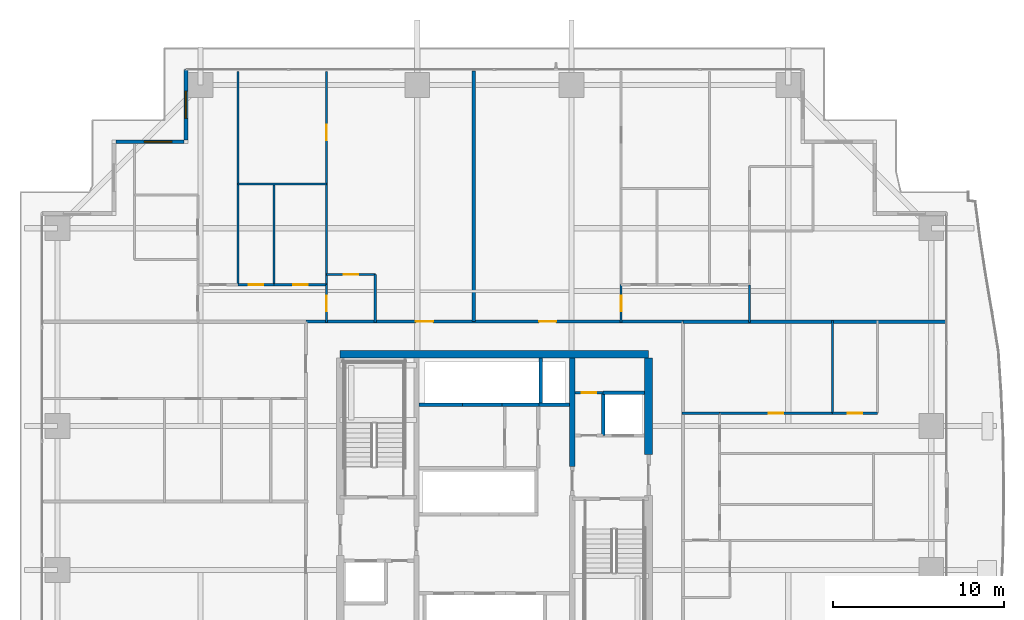
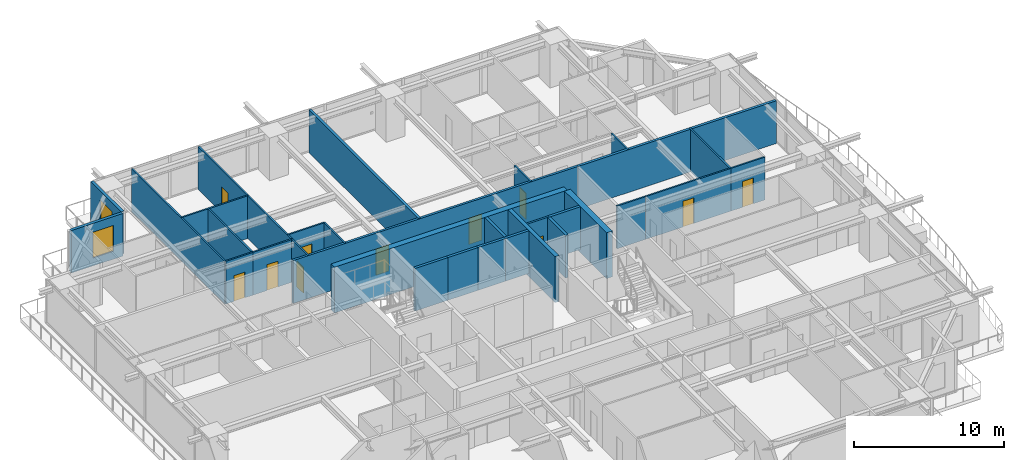
# One storey, part 31 of 39: 32 walls, 11 doors, 2 windows, 13 openings.
"""IFC4 building model written with IfcOpenShell, lengths in metres."""

from ifc_helpers import new_model, si_unit, direction, frame, frame_2d, origin, place, context, subcontext, project, spatial, rectangle, extrude, source, transform, mapped, material, layer, layer_set, type_object, element, fill, save


model = new_model("IFC4")

# Units and contexts
model_context = context("Model", 3, precision=1e-05, world=origin(), true_north=direction((0.0, 1.0)))
body_context = subcontext(model_context, "Body", "Model", "MODEL_VIEW")
ifc_project = project(units=[si_unit("LENGTHUNIT", "METRE"), si_unit("AREAUNIT", "SQUARE_METRE"), si_unit("VOLUMEUNIT", "CUBIC_METRE"), si_unit("PLANEANGLEUNIT", "RADIAN"), si_unit("MASSUNIT", "GRAM", prefix="KILO")], contexts=[model_context])

# Site, building, storey
site_placement = place(None, origin())
site = spatial("IfcSite", under=ifc_project, at=site_placement, CompositionType="ELEMENT")
building_placement = place(site_placement, origin())
building = spatial("IfcBuilding", under=site, at=building_placement, Name="Serunith Strait Residences", CompositionType="ELEMENT")
storey_placement = place(building_placement, frame((0.0, 0.0, 64.199951171875)))
storey = spatial("IfcBuildingStorey", under=building, at=storey_placement, Name="L15", CompositionType="ELEMENT", Elevation=64.199951171875)

# Wall, opening, window
ifc_material_1 = material(Name="Pale-Champagne Aluminium Insulated Panel", Category="aluminium")
ifc_layer_1 = layer(ifc_material_1, 0.219970703125, Name="Pale-Champagne Aluminium Insulated Panel")
ifc_layer_set_1 = layer_set([ifc_layer_1], Name="Pale-Champagne Aluminium Insulated Panel")
wall_type_1 = type_object("IfcWallType", Name="EW-ALUM-220", PredefinedType="ELEMENTEDWALL", material=ifc_layer_set_1)
wall_1_placement = place(storey_placement, frame((14.39990234375, 50.199951171875, 0.0), z_axis=(0.0, 0.0, 1.0), x_axis=(0.0, -1.0, 0.0)))
wall_1 = element("IfcWall", 1, at=wall_1_placement, inside=storey, type_object=wall_type_1, Name="L15 Girih Serrated Corner Wall 12", PredefinedType="ELEMENTEDWALL", context=body_context, shape_type="SweptSolid", body=[
    extrude(rectangle(XDim=4.08984375, YDim=0.219970703125, at=frame_2d((2.044921875, 0.0))), origin(), (0.0, 0.0, 1.0), 3.47509765625),
])
opening_1_placement = place(wall_1_placement, frame((1.2451171875, 0.0, 0.64990234375)))
opening_1 = element("IfcOpeningElement", 2, at=opening_1_placement, cuts=wall_1, Name="Opening W-02", PredefinedType="OPENING", context=body_context, shape_type="SweptSolid", body=[
    extrude(rectangle(XDim=1.60009765625, YDim=2.10009765625, at=frame_2d((0.800048828125, 1.050048828125))), frame((0.0, 0.1201171875, 0.0), z_axis=(0.0, -1.0, 0.0), x_axis=(1.0, 0.0, 0.0)), (0.0, 0.0, 1.0), 0.239990234375),
])
ifc_material_2 = material(Name="Ceramic-Fritted Operable Aluminium Window Glass", Category="aluminium")
window_type = type_object("IfcWindowType", Name="WIN-C2", PartitioningType="DOUBLE_PANEL_VERTICAL", PredefinedType="WINDOW", material=ifc_material_2)
shared_shape_1 = source(origin(), body_context, "Body", "SweptSolid", [
    extrude(rectangle(XDim=1.60009765625, YDim=2.10009765625, at=frame_2d((0.800048828125, 1.050048828125))), frame((0.0, 0.030029296875, 0.0), z_axis=(0.0, -1.0, 0.0), x_axis=(1.0, 0.0, 0.0)), (0.0, 0.0, 1.0), 0.06005859375),
])
window_1_placement = place(opening_1_placement, origin())
window_1 = element("IfcWindow", 3, at=window_1_placement, inside=storey, type_object=window_type, Name="L15 Corner Operable Fritted Window 12", OverallHeight=2.10009765625, OverallWidth=1.60009765625, PartitioningType="SINGLE_PANEL", PredefinedType="WINDOW", context=body_context, shape_type="MappedRepresentation", body=[
    mapped(shared_shape_1, transform((0.0, 0.0, 0.0), scale=1.0)),
])
fill(opening_1, window_1)

wall_2_placement = place(storey_placement, frame((14.2900390625, 46.0, 0.0), z_axis=(0.0, 0.0, 1.0), x_axis=(-1.0, 0.0, 0.0)))
wall_2 = element("IfcWall", 4, at=wall_2_placement, inside=storey, type_object=wall_type_1, Name="L15 Girih Serrated Corner Wall 13", PredefinedType="ELEMENTEDWALL", context=body_context, shape_type="SweptSolid", body=[
    extrude(rectangle(XDim=3.97998046875, YDim=0.219970703125, at=frame_2d((1.989990234375, 0.0))), origin(), (0.0, 0.0, 1.0), 3.47509765625),
])
opening_2_placement = place(wall_2_placement, frame((0.714111328125, 0.0, 0.64990234375)))
opening_2 = element("IfcOpeningElement", 5, at=opening_2_placement, cuts=wall_2, Name="Opening W-02", PredefinedType="OPENING", context=body_context, shape_type="SweptSolid", body=[
    extrude(rectangle(XDim=1.60009765625, YDim=2.10009765625, at=frame_2d((0.800048828125, 1.050048828125))), frame((0.0, 0.1201171875, 0.0), z_axis=(0.0, -1.0, 0.0), x_axis=(1.0, 0.0, 0.0)), (0.0, 0.0, 1.0), 0.239990234375),
])
window_2_placement = place(opening_2_placement, origin())
window_2 = element("IfcWindow", 6, at=window_2_placement, inside=storey, type_object=window_type, Name="L15 Corner Operable Fritted Window 13", OverallHeight=2.10009765625, OverallWidth=1.60009765625, PartitioningType="SINGLE_PANEL", PredefinedType="WINDOW", context=body_context, shape_type="MappedRepresentation", body=[
    mapped(shared_shape_1, transform((0.0, 0.0, 0.0), scale=1.0)),
])
fill(opening_2, window_2)

# Wall, opening, door
ifc_material_3 = material(Name="Fire-rated masonry service closet wall", Category="masonry")
ifc_layer_2 = layer(ifc_material_3, 0.14990234375, Name="Fire-rated masonry service closet wall")
ifc_layer_set_2 = layer_set([ifc_layer_2], Name="Fire-rated masonry service closet wall")
wall_type_2 = type_object("IfcWallType", Name="IW-BOH-150", PredefinedType="PARTITIONING", material=ifc_layer_set_2)
wall_3_placement = place(storey_placement, frame((37.10009765625, 31.35009765625, 0.0), z_axis=(0.0, 0.0, 1.0), x_axis=(1.0, 0.0, 0.0)))
wall_3 = element("IfcWall", 7, at=wall_3_placement, inside=storey, type_object=wall_type_2, Name="L15 Partition Wall 012", PredefinedType="PARTITIONING", context=body_context, shape_type="SweptSolid", body=[
    extrude(rectangle(XDim=1.64794921875, YDim=0.14990234375, at=frame_2d((0.823974609375, 0.0))), origin(), (0.0, 0.0, 1.0), 3.489990234375),
])
opening_3_placement = place(wall_3_placement, frame((0.39892578125, 0.0, 0.0)))
opening_3 = element("IfcOpeningElement", 8, at=opening_3_placement, cuts=wall_3, Name="Opening FD-850", PredefinedType="OPENING", context=body_context, shape_type="SweptSolid", body=[
    extrude(rectangle(XDim=0.85009765625, YDim=2.10009765625, at=frame_2d((0.425048828125, 1.050048828125))), frame((0.0, 0.0849609375, 0.0), z_axis=(0.0, -1.0, 0.0), x_axis=(1.0, 0.0, 0.0)), (0.0, 0.0, 1.0), 0.169921875),
])
ifc_material_4 = material(Name="Powder-coated steel service closet door", Category="steel")
door_type_1 = type_object("IfcDoorType", Name="FD-BOH-850", OperationType="NOTDEFINED", PredefinedType="DOOR", material=ifc_material_4)
shared_shape_2 = source(origin(), body_context, "Body", "SweptSolid", [
    extrude(rectangle(XDim=0.85009765625, YDim=2.10009765625, at=frame_2d((0.425048828125, 1.050048828125))), frame((0.0, 0.02490234375, 0.0), z_axis=(0.0, -1.0, 0.0), x_axis=(1.0, 0.0, 0.0)), (0.0, 0.0, 1.0), 0.050048828125),
])
door_1_placement = place(opening_3_placement, origin())
door_1 = element("IfcDoor", 9, at=door_1_placement, inside=storey, type_object=door_type_1, Name="L15 Spare Parts Store Door", OperationType="SINGLE_SWING_RIGHT", OverallHeight=2.10009765625, OverallWidth=0.85009765625, PredefinedType="DOOR", context=body_context, shape_type="MappedRepresentation", body=[
    mapped(shared_shape_2, transform((0.0, 0.0, 0.0), scale=1.0)),
])
fill(opening_3, door_1)

# Wall, openings, doors
ifc_material_5 = material(Name="Fire-rated acoustic gypsum partition")
ifc_layer_3 = layer(ifc_material_5, 0.179931640625, Name="Fire-rated acoustic gypsum partition")
ifc_layer_set_3 = layer_set([ifc_layer_3], Name="Fire-rated acoustic gypsum partition")
wall_type_3 = type_object("IfcWallType", Name="IW-CORR-180", PredefinedType="PARTITIONING", material=ifc_layer_set_3)
wall_4_placement = place(storey_placement, frame((21.402099609375, 35.5, 0.0), z_axis=(0.0, 0.0, 1.0), x_axis=(1.0, 0.0, 0.0)))
wall_4 = element("IfcWall", 10, at=wall_4_placement, inside=storey, type_object=wall_type_3, Name="L15 Partition Wall 024", PredefinedType="PARTITIONING", context=body_context, shape_type="SweptSolid", body=[
    extrude(rectangle(XDim=21.995849609375, YDim=0.179931640625, at=frame_2d((10.998046875, 0.0))), origin(), (0.0, 0.0, 1.0), 3.489990234375),
])
opening_4_placement = place(wall_4_placement, frame((6.425048828125, 0.0, 0.0)))
opening_4 = element("IfcOpeningElement", 11, at=opening_4_placement, cuts=wall_4, Name="Opening D-APT1000", PredefinedType="OPENING", context=body_context, shape_type="SweptSolid", body=[
    extrude(rectangle(XDim=1.0, YDim=2.14990234375, at=frame_2d((0.5, 1.074951171875))), frame((0.0, 0.10009765625, 0.0), z_axis=(0.0, -1.0, 0.0), x_axis=(1.0, 0.0, 0.0)), (0.0, 0.0, 1.0), 0.199951171875),
])
opening_5_placement = place(wall_4_placement, frame((13.60498046875, 0.0, 0.0)))
opening_5 = element("IfcOpeningElement", 12, at=opening_5_placement, cuts=wall_4, Name="Opening D-APT1000", PredefinedType="OPENING", context=body_context, shape_type="SweptSolid", body=[
    extrude(rectangle(XDim=1.0, YDim=2.14990234375, at=frame_2d((0.5, 1.074951171875))), frame((0.0, 0.10009765625, 0.0), z_axis=(0.0, -1.0, 0.0), x_axis=(1.0, 0.0, 0.0)), (0.0, 0.0, 1.0), 0.199951171875),
])
ifc_material_6 = material(Name="Solid timber engineered fire door", Category="wood")
door_type_2 = type_object("IfcDoorType", Name="ID-APT-1000", OperationType="NOTDEFINED", PredefinedType="DOOR", material=ifc_material_6)
shared_shape_3 = source(origin(), body_context, "Body", "SweptSolid", [
    extrude(rectangle(XDim=1.0, YDim=2.14990234375, at=frame_2d((0.5, 1.074951171875))), frame((0.0, 0.02490234375, 0.0), z_axis=(0.0, -1.0, 0.0), x_axis=(1.0, 0.0, 0.0)), (0.0, 0.0, 1.0), 0.050048828125),
])
door_2_placement = place(opening_4_placement, origin())
door_2 = element("IfcDoor", 13, at=door_2_placement, inside=storey, type_object=door_type_2, Name="L15 Unit 04 Entrance Door", OperationType="SINGLE_SWING_RIGHT", OverallHeight=2.14990234375, OverallWidth=1.0, PredefinedType="DOOR", context=body_context, shape_type="MappedRepresentation", body=[
    mapped(shared_shape_3, transform((0.0, 0.0, 0.0), scale=1.0)),
])
fill(opening_4, door_2)
door_3_placement = place(opening_5_placement, origin())
door_3 = element("IfcDoor", 14, at=door_3_placement, inside=storey, type_object=door_type_2, Name="L15 Unit 05 Entrance Door", OperationType="SINGLE_SWING_LEFT", OverallHeight=2.14990234375, OverallWidth=1.0, PredefinedType="DOOR", context=body_context, shape_type="MappedRepresentation", body=[
    mapped(shared_shape_3, transform((0.0, 0.0, 0.0), scale=1.0)),
])
fill(opening_5, door_3)

# Wall, opening, door
ifc_material_7 = material(Name="Lightweight steel-stud gypsum partition", Category="steel")
ifc_layer_4 = layer(ifc_material_7, 0.1201171875, Name="Lightweight steel-stud gypsum partition")
ifc_layer_set_4 = layer_set([ifc_layer_4], Name="Lightweight steel-stud gypsum partition")
wall_type_4 = type_object("IfcWallType", Name="IW-PART-120", PredefinedType="PARTITIONING", material=ifc_layer_set_4)
wall_5_placement = place(storey_placement, frame((22.60009765625, 38.25, 0.0), z_axis=(0.0, 0.0, 1.0), x_axis=(1.0, 0.0, 0.0)))
wall_5 = element("IfcWall", 15, at=wall_5_placement, inside=storey, type_object=wall_type_4, Name="L15 Partition Wall 064", PredefinedType="PARTITIONING", context=body_context, shape_type="SweptSolid", body=[
    extrude(rectangle(XDim=2.849853515625, YDim=0.1201171875, at=frame_2d((1.4248046875, 0.0))), origin(), (0.0, 0.0, 1.0), 3.489990234375),
])
opening_6_placement = place(wall_5_placement, frame((1.0, 0.0, 0.0)))
opening_6 = element("IfcOpeningElement", 16, at=opening_6_placement, cuts=wall_5, Name="Opening D-RM850", PredefinedType="OPENING", context=body_context, shape_type="SweptSolid", body=[
    extrude(rectangle(XDim=0.85009765625, YDim=2.10009765625, at=frame_2d((0.425048828125, 1.050048828125))), frame((0.0, 0.070068359375, 0.0), z_axis=(0.0, -1.0, 0.0), x_axis=(1.0, 0.0, 0.0)), (0.0, 0.0, 1.0), 0.14013671875),
])
ifc_material_8 = material(Name="Engineered timber flush study and kitchen door", Category="wood")
door_type_3 = type_object("IfcDoorType", Name="ID-ROOM-850", OperationType="NOTDEFINED", PredefinedType="DOOR", material=ifc_material_8)
door_4_placement = place(opening_6_placement, origin())
door_4 = element("IfcDoor", 17, at=door_4_placement, inside=storey, type_object=door_type_3, Name="L15 Kitchen 1504 Door", OperationType="SINGLE_SWING_LEFT", OverallHeight=2.10009765625, OverallWidth=0.85009765625, PredefinedType="DOOR", context=body_context, shape_type="MappedRepresentation", body=[
    mapped(shared_shape_2, transform((0.0, 0.0, 0.0), scale=1.0)),
])
fill(opening_6, door_4)

# Wall
wall_6_placement = place(storey_placement, frame((25.449951171875, 38.25, 0.0), z_axis=(0.0, 0.0, 1.0), x_axis=(0.0, -1.0, 0.0)))
element("IfcWall", 18, at=wall_6_placement, inside=storey, type_object=wall_type_4, Name="L15 Partition Wall 065", PredefinedType="PARTITIONING", context=body_context, shape_type="SweptSolid", body=[
    extrude(rectangle(XDim=2.81005859375, YDim=0.1201171875, at=frame_2d((1.405029296875, 0.0))), origin(), (0.0, 0.0, 1.0), 3.489990234375),
])

# Wall, opening, door
wall_7_placement = place(storey_placement, frame((22.60009765625, 37.64990234375, 0.0), z_axis=(0.0, 0.0, 1.0), x_axis=(0.0, -1.0, 0.0)))
wall_7 = element("IfcWall", 19, at=wall_7_placement, inside=storey, type_object=wall_type_4, Name="L15 Partition Wall 066", PredefinedType="PARTITIONING", context=body_context, shape_type="SweptSolid", body=[
    extrude(rectangle(XDim=2.2099609375, YDim=0.1201171875, at=frame_2d((1.10498046875, 0.0))), origin(), (0.0, 0.0, 1.0), 3.489990234375),
])
opening_7_placement = place(wall_7_placement, frame((0.655029296875, 0.0, 0.0)))
opening_7 = element("IfcOpeningElement", 20, at=opening_7_placement, cuts=wall_7, Name="Opening D-RM900", PredefinedType="OPENING", context=body_context, shape_type="SweptSolid", body=[
    extrude(rectangle(XDim=0.89990234375, YDim=2.10009765625, at=frame_2d((0.449951171875, 1.050048828125))), frame((0.0, 0.070068359375, 0.0), z_axis=(0.0, -1.0, 0.0), x_axis=(1.0, 0.0, 0.0)), (0.0, 0.0, 1.0), 0.14013671875),
])
ifc_material_9 = material(Name="Engineered timber flush bedroom door", Category="wood")
door_type_4 = type_object("IfcDoorType", Name="ID-ROOM-900", OperationType="NOTDEFINED", PredefinedType="DOOR", material=ifc_material_9)
shared_shape_4 = source(origin(), body_context, "Body", "SweptSolid", [
    extrude(rectangle(XDim=0.89990234375, YDim=2.10009765625, at=frame_2d((0.449951171875, 1.050048828125))), frame((0.0, 0.02490234375, 0.0), z_axis=(0.0, -1.0, 0.0), x_axis=(1.0, 0.0, 0.0)), (0.0, 0.0, 1.0), 0.050048828125),
])
door_5_placement = place(opening_7_placement, origin())
door_5 = element("IfcDoor", 21, at=door_5_placement, inside=storey, type_object=door_type_4, Name="L15 Hall W 1504 Door", OperationType="SINGLE_SWING_RIGHT", OverallHeight=2.10009765625, OverallWidth=0.89990234375, PredefinedType="DOOR", context=body_context, shape_type="MappedRepresentation", body=[
    mapped(shared_shape_4, transform((0.0, 0.0, 0.0), scale=1.0)),
])
fill(opening_7, door_5)

wall_8_placement = place(storey_placement, frame((22.60009765625, 50.10498046875, 0.0), z_axis=(0.0, 0.0, 1.0), x_axis=(0.0, -1.0, 0.0)))
wall_8 = element("IfcWall", 22, at=wall_8_placement, inside=storey, type_object=wall_type_4, Name="L15 Partition Wall 067", PredefinedType="PARTITIONING", context=body_context, shape_type="SweptSolid", body=[
    extrude(rectangle(XDim=6.56494140625, YDim=0.1201171875, at=frame_2d((3.282470703125, 0.0))), origin(), (0.0, 0.0, 1.0), 3.489990234375),
])
opening_8_placement = place(wall_8_placement, frame((3.115966796875, 0.0, 0.0)))
opening_8 = element("IfcOpeningElement", 23, at=opening_8_placement, cuts=wall_8, Name="Opening D-RM900", PredefinedType="OPENING", context=body_context, shape_type="SweptSolid", body=[
    extrude(rectangle(XDim=0.89990234375, YDim=2.10009765625, at=frame_2d((0.449951171875, 1.050048828125))), frame((0.0, 0.070068359375, 0.0), z_axis=(0.0, -1.0, 0.0), x_axis=(1.0, 0.0, 0.0)), (0.0, 0.0, 1.0), 0.14013671875),
])
door_6_placement = place(opening_8_placement, origin())
door_6 = element("IfcDoor", 24, at=door_6_placement, inside=storey, type_object=door_type_4, Name="L15 Formal Dining Room 1 1504 Door", OperationType="SINGLE_SWING_LEFT", OverallHeight=2.10009765625, OverallWidth=0.89990234375, PredefinedType="DOOR", context=body_context, shape_type="MappedRepresentation", body=[
    mapped(shared_shape_4, transform((0.0, 0.0, 0.0), scale=1.0)),
])
fill(opening_8, door_6)

# Walls
wall_9_placement = place(storey_placement, frame((22.60009765625, 43.5380859375, 0.0), z_axis=(0.0, 0.0, 1.0), x_axis=(0.0, -1.0, 0.0)))
element("IfcWall", 25, at=wall_9_placement, inside=storey, type_object=wall_type_4, Name="L15 Partition Wall 068", PredefinedType="PARTITIONING", context=body_context, shape_type="SweptSolid", body=[
    extrude(rectangle(XDim=5.885986328125, YDim=0.1201171875, at=frame_2d((2.94287109375, 0.0))), origin(), (0.0, 0.0, 1.0), 3.489990234375),
])
wall_10_placement = place(storey_placement, frame((17.449951171875, 43.5400390625, 0.0), z_axis=(0.0, 0.0, 1.0), x_axis=(1.0, 0.0, 0.0)))
element("IfcWall", 26, at=wall_10_placement, inside=storey, type_object=wall_type_4, Name="L15 Partition Wall 069", PredefinedType="PARTITIONING", context=body_context, shape_type="SweptSolid", body=[
    extrude(rectangle(XDim=5.150146484375, YDim=0.1201171875, at=frame_2d((2.5751953125, 0.0))), origin(), (0.0, 0.0, 1.0), 3.489990234375),
])
wall_11_placement = place(storey_placement, frame((17.449951171875, 50.10498046875, 0.0), z_axis=(0.0, 0.0, 1.0), x_axis=(0.0, -1.0, 0.0)))
element("IfcWall", 27, at=wall_11_placement, inside=storey, type_object=wall_type_4, Name="L15 Partition Wall 070", PredefinedType="PARTITIONING", context=body_context, shape_type="SweptSolid", body=[
    extrude(rectangle(XDim=12.455078125, YDim=0.1201171875, at=frame_2d((6.2275390625, 0.0))), origin(), (0.0, 0.0, 1.0), 3.489990234375),
])
wall_12_placement = place(storey_placement, frame((19.550048828125, 43.5400390625, 0.0), z_axis=(0.0, 0.0, 1.0), x_axis=(0.0, -1.0, 0.0)))
element("IfcWall", 28, at=wall_12_placement, inside=storey, type_object=wall_type_4, Name="L15 Partition Wall 071", PredefinedType="PARTITIONING", context=body_context, shape_type="SweptSolid", body=[
    extrude(rectangle(XDim=5.89013671875, YDim=0.1201171875, at=frame_2d((2.945068359375, 0.0))), origin(), (0.0, 0.0, 1.0), 3.489990234375),
])

# Wall, opening, door
wall_13_placement = place(storey_placement, frame((17.449951171875, 37.64990234375, 0.0), z_axis=(0.0, 0.0, 1.0), x_axis=(1.0, 0.0, 0.0)))
wall_13 = element("IfcWall", 29, at=wall_13_placement, inside=storey, type_object=wall_type_4, Name="L15 Partition Wall 072", PredefinedType="PARTITIONING", context=body_context, shape_type="SweptSolid", body=[
    extrude(rectangle(XDim=2.10009765625, YDim=0.1201171875, at=frame_2d((1.050048828125, 0.0))), origin(), (0.0, 0.0, 1.0), 3.489990234375),
])
opening_9_placement = place(wall_13_placement, frame((0.625, 0.0, 0.0)))
opening_9 = element("IfcOpeningElement", 30, at=opening_9_placement, cuts=wall_13, Name="Opening D-BTH850", PredefinedType="OPENING", context=body_context, shape_type="SweptSolid", body=[
    extrude(rectangle(XDim=0.85009765625, YDim=2.10009765625, at=frame_2d((0.425048828125, 1.050048828125))), frame((0.0, 0.070068359375, 0.0), z_axis=(0.0, -1.0, 0.0), x_axis=(1.0, 0.0, 0.0)), (0.0, 0.0, 1.0), 0.14013671875),
])
ifc_material_10 = material(Name="Moisture-resistant timber bathroom door", Category="wood")
door_type_5 = type_object("IfcDoorType", Name="ID-BATH-850", OperationType="NOTDEFINED", PredefinedType="DOOR", material=ifc_material_10)
door_7_placement = place(opening_9_placement, origin())
door_7 = element("IfcDoor", 31, at=door_7_placement, inside=storey, type_object=door_type_5, Name="L15 Bathroom 1504 Door", OperationType="SINGLE_SWING_RIGHT", OverallHeight=2.10009765625, OverallWidth=0.85009765625, PredefinedType="DOOR", context=body_context, shape_type="MappedRepresentation", body=[
    mapped(shared_shape_2, transform((0.0, 0.0, 0.0), scale=1.0)),
])
fill(opening_9, door_7)

wall_14_placement = place(storey_placement, frame((19.552001953125, 37.64990234375, 0.0), z_axis=(0.0, 0.0, 1.0), x_axis=(1.0, 0.0, 0.0)))
wall_14 = element("IfcWall", 32, at=wall_14_placement, inside=storey, type_object=wall_type_4, Name="L15 Partition Wall 073", PredefinedType="PARTITIONING", context=body_context, shape_type="SweptSolid", body=[
    extrude(rectangle(XDim=3.048095703125, YDim=0.1201171875, at=frame_2d((1.52392578125, 0.0))), origin(), (0.0, 0.0, 1.0), 3.489990234375),
])
opening_10_placement = place(wall_14_placement, frame((1.09912109375, 0.0, 0.0)))
opening_10 = element("IfcOpeningElement", 33, at=opening_10_placement, cuts=wall_14, Name="Opening D-RM850", PredefinedType="OPENING", context=body_context, shape_type="SweptSolid", body=[
    extrude(rectangle(XDim=0.85009765625, YDim=2.10009765625, at=frame_2d((0.425048828125, 1.050048828125))), frame((0.0, 0.070068359375, 0.0), z_axis=(0.0, -1.0, 0.0), x_axis=(1.0, 0.0, 0.0)), (0.0, 0.0, 1.0), 0.14013671875),
])
door_8_placement = place(opening_10_placement, origin())
door_8 = element("IfcDoor", 34, at=door_8_placement, inside=storey, type_object=door_type_3, Name="L15 Formal Dining Room 1504 Door", OperationType="SINGLE_SWING_LEFT", OverallHeight=2.10009765625, OverallWidth=0.85009765625, PredefinedType="DOOR", context=body_context, shape_type="MappedRepresentation", body=[
    mapped(shared_shape_2, transform((0.0, 0.0, 0.0), scale=1.0)),
])
fill(opening_10, door_8)

wall_15_placement = place(storey_placement, frame((39.800048828125, 37.64990234375, 0.0), z_axis=(0.0, 0.0, 1.0), x_axis=(0.0, -1.0, 0.0)))
wall_15 = element("IfcWall", 35, at=wall_15_placement, inside=storey, type_object=wall_type_4, Name="L15 Partition Wall 081", PredefinedType="PARTITIONING", context=body_context, shape_type="SweptSolid", body=[
    extrude(rectangle(XDim=2.2099609375, YDim=0.1201171875, at=frame_2d((1.10498046875, 0.0))), origin(), (0.0, 0.0, 1.0), 3.489990234375),
])
opening_11_placement = place(wall_15_placement, frame((0.655029296875, 0.0, 0.0)))
opening_11 = element("IfcOpeningElement", 36, at=opening_11_placement, cuts=wall_15, Name="Opening D-RM900", PredefinedType="OPENING", context=body_context, shape_type="SweptSolid", body=[
    extrude(rectangle(XDim=0.89990234375, YDim=2.10009765625, at=frame_2d((0.449951171875, 1.050048828125))), frame((0.0, 0.070068359375, 0.0), z_axis=(0.0, -1.0, 0.0), x_axis=(1.0, 0.0, 0.0)), (0.0, 0.0, 1.0), 0.14013671875),
])
door_9_placement = place(opening_11_placement, origin())
door_9 = element("IfcDoor", 37, at=door_9_placement, inside=storey, type_object=door_type_4, Name="L15 Hall E 1505 Door", OperationType="SINGLE_SWING_LEFT", OverallHeight=2.10009765625, OverallWidth=0.89990234375, PredefinedType="DOOR", context=body_context, shape_type="MappedRepresentation", body=[
    mapped(shared_shape_4, transform((0.0, 0.0, 0.0), scale=1.0)),
])
fill(opening_11, door_9)

# Walls
wall_16_placement = place(storey_placement, frame((47.300048828125, 37.64794921875, 0.0), z_axis=(0.0, 0.0, 1.0), x_axis=(0.0, -1.0, 0.0)))
element("IfcWall", 38, at=wall_16_placement, inside=storey, type_object=wall_type_4, Name="L15 Partition Wall 095", PredefinedType="PARTITIONING", context=body_context, shape_type="SweptSolid", body=[
    extrude(rectangle(XDim=2.2080078125, YDim=0.1201171875, at=frame_2d((1.10400390625, 0.0))), origin(), (0.0, 0.0, 1.0), 3.489990234375),
])
wall_17_placement = place(storey_placement, frame((52.133056640625, 30.14990234375, 0.0), z_axis=(0.0, 0.0, 1.0), x_axis=(0.0, 1.0, 0.0)))
element("IfcWall", 39, at=wall_17_placement, inside=storey, type_object=wall_type_4, Name="L15 Partition Wall 119", PredefinedType="PARTITIONING", context=body_context, shape_type="SweptSolid", body=[
    extrude(rectangle(XDim=5.41015625, YDim=0.1201171875, at=frame_2d((2.705078125, 0.0))), origin(), (0.0, 0.0, 1.0), 3.489990234375),
])

# Wall, opening, door
wall_18_placement = place(storey_placement, frame((54.75, 30.14990234375, 0.0), z_axis=(0.0, 0.0, 1.0), x_axis=(-1.0, 0.0, 0.0)))
wall_18 = element("IfcWall", 40, at=wall_18_placement, inside=storey, type_object=wall_type_4, Name="L15 Partition Wall 120", PredefinedType="PARTITIONING", context=body_context, shape_type="SweptSolid", body=[
    extrude(rectangle(XDim=2.616943359375, YDim=0.1201171875, at=frame_2d((1.30859375, 0.0))), origin(), (0.0, 0.0, 1.0), 3.489990234375),
])
opening_12_placement = place(wall_18_placement, frame((0.883056640625, 0.0, 0.0)))
opening_12 = element("IfcOpeningElement", 41, at=opening_12_placement, cuts=wall_18, Name="Opening D-BTH850", PredefinedType="OPENING", context=body_context, shape_type="SweptSolid", body=[
    extrude(rectangle(XDim=0.85009765625, YDim=2.10009765625, at=frame_2d((0.425048828125, 1.050048828125))), frame((0.0, 0.070068359375, 0.0), z_axis=(0.0, -1.0, 0.0), x_axis=(1.0, 0.0, 0.0)), (0.0, 0.0, 1.0), 0.14013671875),
])
door_10_placement = place(opening_12_placement, origin())
door_10 = element("IfcDoor", 42, at=door_10_placement, inside=storey, type_object=door_type_5, Name="L15 En-suite Bathroom E 1508 Door", OperationType="SINGLE_SWING_RIGHT", OverallHeight=2.10009765625, OverallWidth=0.85009765625, PredefinedType="DOOR", context=body_context, shape_type="MappedRepresentation", body=[
    mapped(shared_shape_2, transform((0.0, 0.0, 0.0), scale=1.0)),
])
fill(opening_12, door_10)

wall_19_placement = place(storey_placement, frame((52.131103515625, 30.14990234375, 0.0), z_axis=(0.0, 0.0, 1.0), x_axis=(-1.0, 0.0, 0.0)))
wall_19 = element("IfcWall", 43, at=wall_19_placement, inside=storey, type_object=wall_type_4, Name="L15 Partition Wall 121", PredefinedType="PARTITIONING", context=body_context, shape_type="SweptSolid", body=[
    extrude(rectangle(XDim=6.5810546875, YDim=0.1201171875, at=frame_2d((3.29052734375, 0.0))), origin(), (0.0, 0.0, 1.0), 3.489990234375),
])
opening_13_placement = place(wall_19_placement, frame((2.865966796875, 0.0, 0.0)))
opening_13 = element("IfcOpeningElement", 44, at=opening_13_placement, cuts=wall_19, Name="Opening D-RM850", PredefinedType="OPENING", context=body_context, shape_type="SweptSolid", body=[
    extrude(rectangle(XDim=0.85009765625, YDim=2.10009765625, at=frame_2d((0.425048828125, 1.050048828125))), frame((0.0, 0.070068359375, 0.0), z_axis=(0.0, -1.0, 0.0), x_axis=(1.0, 0.0, 0.0)), (0.0, 0.0, 1.0), 0.14013671875),
])
door_11_placement = place(opening_13_placement, origin())
door_11 = element("IfcDoor", 45, at=door_11_placement, inside=storey, type_object=door_type_3, Name="L15 Wardrobe E 1508 Door", OperationType="SINGLE_SWING_LEFT", OverallHeight=2.10009765625, OverallWidth=0.85009765625, PredefinedType="DOOR", context=body_context, shape_type="MappedRepresentation", body=[
    mapped(shared_shape_2, transform((0.0, 0.0, 0.0), scale=1.0)),
])
fill(opening_13, door_11)

# Walls
wall_20_placement = place(storey_placement, frame((45.548095703125, 30.14990234375, 0.0), z_axis=(0.0, 0.0, 1.0), x_axis=(-1.0, 0.0, 0.0)))
element("IfcWall", 46, at=wall_20_placement, inside=storey, type_object=wall_type_4, Name="L15 Partition Wall 122", PredefinedType="PARTITIONING", context=body_context, shape_type="SweptSolid", body=[
    extrude(rectangle(XDim=2.2080078125, YDim=0.1201171875, at=frame_2d((1.10400390625, 0.0))), origin(), (0.0, 0.0, 1.0), 3.489990234375),
])
ifc_material_11 = material(Name="Twin-stud acoustic gypsum board partition")
ifc_layer_5 = layer(ifc_material_11, 0.199951171875, Name="Twin-stud acoustic gypsum board partition")
ifc_layer_set_5 = layer_set([ifc_layer_5], Name="Twin-stud acoustic gypsum board partition")
wall_type_5 = type_object("IfcWallType", Name="IW-PARTY-200", PredefinedType="PARTITIONING", material=ifc_layer_set_5)
wall_21_placement = place(storey_placement, frame((31.199951171875, 35.5, 0.0), z_axis=(0.0, 0.0, 1.0), x_axis=(0.0, 1.0, 0.0)))
element("IfcWall", 47, at=wall_21_placement, inside=storey, type_object=wall_type_5, Name="L15 Partition Wall 017", PredefinedType="PARTITIONING", context=body_context, shape_type="SweptSolid", body=[
    extrude(rectangle(XDim=14.617919921875, YDim=0.199951171875, at=frame_2d((7.30908203125, 0.0))), origin(), (0.0, 0.0, 1.0), 3.489990234375),
])
wall_22_placement = place(storey_placement, frame((43.39990234375, 35.5, 0.0), z_axis=(0.0, 0.0, 1.0), x_axis=(1.0, 0.0, 0.0)))
element("IfcWall", 48, at=wall_22_placement, inside=storey, type_object=wall_type_5, Name="L15 Partition Wall 022", PredefinedType="PARTITIONING", context=body_context, shape_type="SweptSolid", body=[
    extrude(rectangle(XDim=15.318115234375, YDim=0.199951171875, at=frame_2d((7.6591796875, 0.0))), origin(), (0.0, 0.0, 1.0), 3.489990234375),
])
ifc_material_12 = material(Name="Autoclaved aerated concrete blockwork", Category="masonry")
ifc_layer_6 = layer(ifc_material_12, 0.199951171875, Name="Autoclaved aerated concrete blockwork")
ifc_layer_set_6 = layer_set([ifc_layer_6], Name="Autoclaved aerated concrete blockwork")
wall_type_6 = type_object("IfcWallType", Name="IW-SHAFT-200", PredefinedType="STANDARD", material=ifc_layer_set_6)
wall_23_placement = place(storey_placement, frame((28.0, 30.64990234375, 0.0), z_axis=(0.0, 0.0, 1.0), x_axis=(1.0, 0.0, 0.0)))
element("IfcWall", 49, at=wall_23_placement, inside=storey, type_object=wall_type_6, Name="L15 PL-7 South Shaft Wall", PredefinedType="STANDARD", context=body_context, shape_type="SweptSolid", body=[
    extrude(rectangle(XDim=2.550048828125, YDim=0.199951171875, at=frame_2d((1.27490234375, 0.0))), origin(), (0.0, 0.0, 1.0), 3.489990234375),
])
wall_24_placement = place(storey_placement, frame((30.550048828125, 30.64990234375, 0.0), z_axis=(0.0, 0.0, 1.0), x_axis=(1.0, 0.0, 0.0)))
element("IfcWall", 50, at=wall_24_placement, inside=storey, type_object=wall_type_6, Name="L15 PL-8 South Shaft Wall", PredefinedType="STANDARD", context=body_context, shape_type="SweptSolid", body=[
    extrude(rectangle(XDim=2.300048828125, YDim=0.199951171875, at=frame_2d((1.14990234375, 0.0))), origin(), (0.0, 0.0, 1.0), 3.489990234375),
])
wall_25_placement = place(storey_placement, frame((32.85009765625, 30.64990234375, 0.0), z_axis=(0.0, 0.0, 1.0), x_axis=(1.0, 0.0, 0.0)))
element("IfcWall", 51, at=wall_25_placement, inside=storey, type_object=wall_type_6, Name="L15 PL-9 South Shaft Wall", PredefinedType="STANDARD", context=body_context, shape_type="SweptSolid", body=[
    extrude(rectangle(XDim=2.14990234375, YDim=0.199951171875, at=frame_2d((1.074951171875, 0.0))), origin(), (0.0, 0.0, 1.0), 3.489990234375),
])
wall_26_placement = place(storey_placement, frame((35.0, 30.64990234375, 0.0), z_axis=(0.0, 0.0, 1.0), x_axis=(1.0, 0.0, 0.0)))
element("IfcWall", 52, at=wall_26_placement, inside=storey, type_object=wall_type_6, Name="L15 SL-1 South Shaft Wall", PredefinedType="STANDARD", context=body_context, shape_type="SweptSolid", body=[
    extrude(rectangle(XDim=1.800048828125, YDim=0.199951171875, at=frame_2d((0.89990234375, 0.0))), origin(), (0.0, 0.0, 1.0), 3.489990234375),
])
wall_27_placement = place(storey_placement, frame((35.10009765625, 30.75, 0.0), z_axis=(0.0, 0.0, 1.0), x_axis=(0.0, 1.0, 0.0)))
element("IfcWall", 53, at=wall_27_placement, inside=storey, type_object=wall_type_6, Name="L15 SL-1 West Shaft Wall", PredefinedType="STANDARD", context=body_context, shape_type="SweptSolid", body=[
    extrude(rectangle(XDim=2.625, YDim=0.199951171875, at=frame_2d((1.3125, 0.0))), origin(), (0.0, 0.0, 1.0), 3.489990234375),
])
wall_28_placement = place(storey_placement, frame((38.75, 28.85009765625, 0.0), z_axis=(0.0, 0.0, 1.0), x_axis=(0.0, 1.0, 0.0)))
element("IfcWall", 54, at=wall_28_placement, inside=storey, type_object=wall_type_6, Name="L15 Partition Wall 004", PredefinedType="STANDARD", context=body_context, shape_type="SweptSolid", body=[
    extrude(rectangle(XDim=2.5, YDim=0.199951171875, at=frame_2d((1.25, 0.0))), origin(), (0.0, 0.0, 1.0), 3.489990234375),
])
wall_29_placement = place(storey_placement, frame((38.75, 31.35009765625, 0.0), z_axis=(0.0, 0.0, 1.0), x_axis=(1.0, 0.0, 0.0)))
element("IfcWall", 55, at=wall_29_placement, inside=storey, type_object=wall_type_6, Name="L15 Partition Wall 005", PredefinedType="STANDARD", context=body_context, shape_type="SweptSolid", body=[
    extrude(rectangle(XDim=2.425048828125, YDim=0.199951171875, at=frame_2d((1.21240234375, 0.0))), origin(), (0.0, 0.0, 1.0), 3.489990234375),
])
ifc_material_13 = material(Name="Concrete C80/95", Category="concrete")
ifc_layer_7 = layer(ifc_material_13, 0.300048828125, Name="Concrete C80/95")
ifc_layer_set_7 = layer_set([ifc_layer_7], Name="Concrete C80/95")
wall_type_7 = type_object("IfcWallType", Name="SW-300-C80", PredefinedType="SHEAR", material=ifc_layer_set_7)
wall_30_placement = place(storey_placement, frame((36.949951171875, 27.050048828125, -0.260009765625), z_axis=(0.0, 0.0, 1.0), x_axis=(0.0, 1.0, 0.0)))
element("IfcWall", 56, at=wall_30_placement, inside=storey, type_object=wall_type_7, Name="L15 Core Internal East Web North Pier", PredefinedType="SHEAR", context=body_context, shape_type="SweptSolid", body=[
    extrude(rectangle(XDim=6.324951171875, YDim=0.300048828125, at=frame_2d((3.16259765625, 0.0))), origin(), (0.0, 0.0, 1.0), 3.748046875),
])
ifc_layer_8 = layer(ifc_material_13, 0.449951171875, Name="Concrete C80/95")
ifc_layer_set_8 = layer_set([ifc_layer_8], Name="Concrete C80/95")
wall_type_8 = type_object("IfcWallType", Name="SW-450-C80", PredefinedType="SHEAR", material=ifc_layer_set_8)
wall_31_placement = place(storey_placement, frame((41.39990234375, 33.60009765625, -0.260009765625), z_axis=(0.0, 0.0, 1.0), x_axis=(-1.0, 0.0, 0.0)))
element("IfcWall", 57, at=wall_31_placement, inside=storey, type_object=wall_type_8, Name="L15 Core North Shear Wall", PredefinedType="SHEAR", context=body_context, shape_type="SweptSolid", body=[
    extrude(rectangle(XDim=18.0, YDim=0.449951171875, at=frame_2d((9.0, 0.0))), origin(), (0.0, 0.0, 1.0), 3.748046875),
])
wall_32_placement = place(storey_placement, frame((41.39990234375, 27.75, -0.260009765625), z_axis=(0.0, 0.0, 1.0), x_axis=(0.0, 1.0, 0.0)))
element("IfcWall", 58, at=wall_32_placement, inside=storey, type_object=wall_type_8, Name="L15 Core East Shear Wall North Pier", PredefinedType="SHEAR", context=body_context, shape_type="SweptSolid", body=[
    extrude(rectangle(XDim=5.625, YDim=0.449951171875, at=frame_2d((2.8125, 0.0))), origin(), (0.0, 0.0, 1.0), 3.748046875),
])

save(model, "model.ifc")
